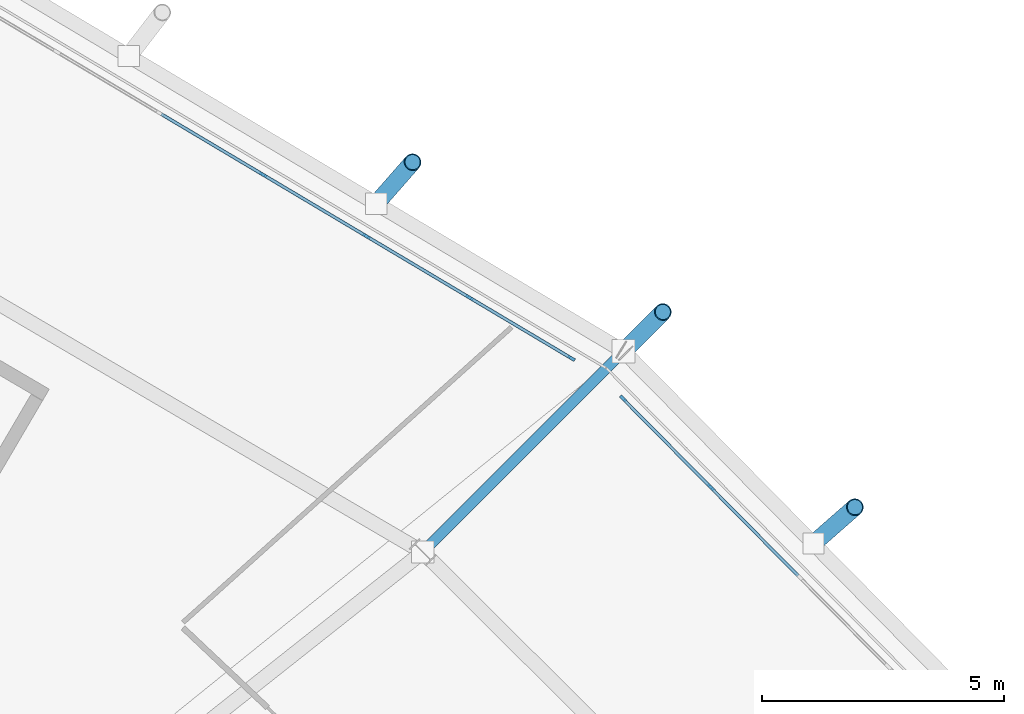
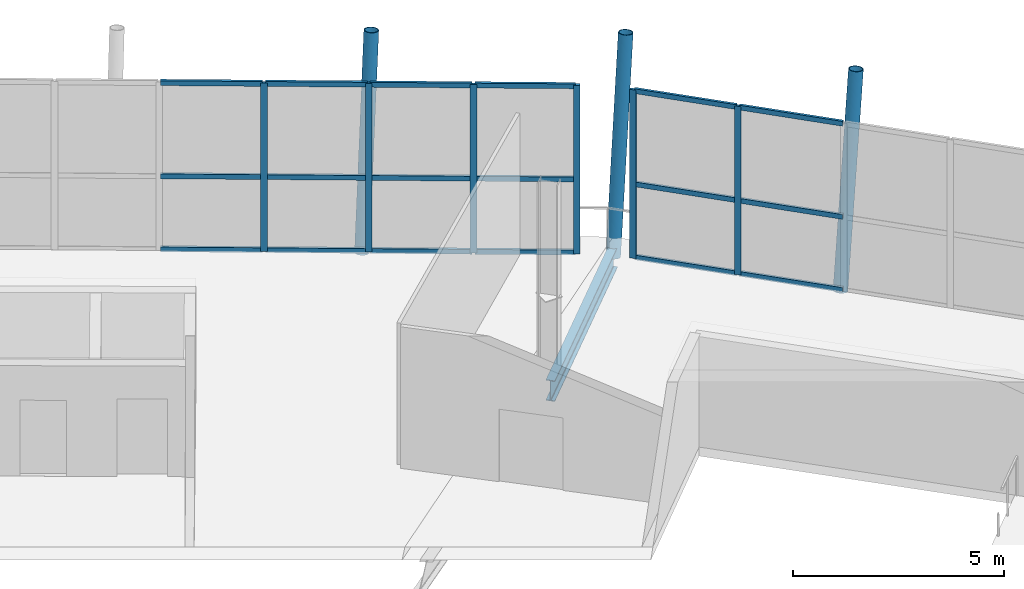
# One storey, part 53 of 99: 27 members, 1 beam, 2 elements without a shape of their own.
"""IFC4 building model written with IfcOpenShell, lengths in metres."""

from ifc_helpers import new_model, si_unit, direction, frame, origin, origin_2d, place, context, subcontext, project, spatial, rectangle, hollow_circle, i_section, extrude, material, material_profile, profile_set, type_object, element, aggregate, save


model = new_model("IFC4")

# Units and contexts
model_context = context("Model", 3, precision=1e-05, world=origin(), true_north=direction((0.0, 1.0)))
body_context = subcontext(model_context, "Body", "Model", "MODEL_VIEW")
ifc_project = project(units=[si_unit("LENGTHUNIT", "METRE"), si_unit("AREAUNIT", "SQUARE_METRE"), si_unit("VOLUMEUNIT", "CUBIC_METRE"), si_unit("PLANEANGLEUNIT", "RADIAN"), si_unit("MASSUNIT", "GRAM", prefix="KILO")], contexts=[model_context])

# Site, building, storey
site_placement = place(None, origin())
site = spatial("IfcSite", under=ifc_project, at=site_placement, CompositionType="ELEMENT")
building_placement = place(site_placement, origin())
building = spatial("IfcBuilding", under=site, at=building_placement, Name="Zlatoyarsky Gate Stadium", CompositionType="ELEMENT")
storey_placement = place(building_placement, frame((0.0, 0.0, 26.199951171875)))
storey = spatial("IfcBuildingStorey", under=building, at=storey_placement, Name="L05", CompositionType="ELEMENT", Elevation=26.199951171875)

# Curtain wall, members
ifc_material_1 = material(Name="Thermally broken anodised aluminium curtain wall", Category="aluminium")
curtain_wall_type = type_object("IfcCurtainWallType", Name="UNITISED SKYBOX RING GLAZING L05", PredefinedType="USERDEFINED", material=ifc_material_1)
curtain_wall_1_placement = place(storey_placement, origin())
curtain_wall_1 = element("IfcCurtainWall", 1, at=curtain_wall_1_placement, inside=storey, type_object=curtain_wall_type, Name="Curtain wall CW-L05-02", ObjectType="UNITISED GLAZING", PredefinedType="USERDEFINED")
ifc_material_2 = material(Name="Anodised aluminium 6063-T6", Category="aluminium")
ifc_material_profile_1 = material_profile(ifc_material_2, rectangle(XDim=0.06494140625, YDim=0.159912109375, at=origin_2d()), Name="ALU 65X160")
ifc_profile_set_1 = profile_set([ifc_material_profile_1], Name="Anodised aluminium 6063-T6")
member_type_1 = type_object("IfcMemberType", Name="ALUMINIUM MULLION 65X160", PredefinedType="MULLION", material=ifc_profile_set_1)
member_1_placement = place(storey_placement, frame((182.715576171875, 131.54736328125, 0.0), z_axis=(0.0, 0.0, 1.0), x_axis=(-0.711035710587, -0.70315589898, 0.0)))
member_1 = element("IfcMember", 2, at=member_1_placement, type_object=member_type_1, Name="CW-UG5 mullion 8", PredefinedType="MULLION", context=body_context, shape_type="SweptSolid", body=[
    extrude(rectangle(XDim=0.06494140625, YDim=0.159912109375, at=origin_2d()), origin(), (0.0, 0.0, 1.0), 4.880126953125),
])
member_2_placement = place(storey_placement, frame((180.90234375, 133.380859375, 0.0), z_axis=(0.0, 0.0, 1.0), x_axis=(-0.711035710587, -0.70315589898, 0.0)))
member_2 = element("IfcMember", 3, at=member_2_placement, type_object=member_type_1, Name="CW-UG5 mullion 9", PredefinedType="MULLION", context=body_context, shape_type="SweptSolid", body=[
    extrude(rectangle(XDim=0.06494140625, YDim=0.159912109375, at=origin_2d()), origin(), (0.0, 0.0, 1.0), 4.880126953125),
])

curtain_wall_2_placement = place(storey_placement, origin())
curtain_wall_2 = element("IfcCurtainWall", 4, at=curtain_wall_2_placement, inside=storey, type_object=curtain_wall_type, Name="Curtain wall CW-L05-03", ObjectType="UNITISED GLAZING", PredefinedType="USERDEFINED")
member_3_placement = place(storey_placement, frame((179.8359375, 134.21533203125, 0.0), z_axis=(0.0, 0.0, 1.0), x_axis=(-0.511577166542, -0.859237337802, 0.0)))
member_3 = element("IfcMember", 5, at=member_3_placement, type_object=member_type_1, Name="CW-UG5 mullion 1", PredefinedType="MULLION", context=body_context, shape_type="SweptSolid", body=[
    extrude(rectangle(XDim=0.06494140625, YDim=0.159912109375, at=origin_2d()), origin(), (0.0, 0.0, 1.0), 4.880126953125),
])
member_4_placement = place(storey_placement, frame((177.728759765625, 135.4697265625, 0.0), z_axis=(0.0, 0.0, 1.0), x_axis=(-0.511577166542, -0.859237337802, 0.0)))
member_4 = element("IfcMember", 6, at=member_4_placement, type_object=member_type_1, Name="CW-UG5 mullion 2", PredefinedType="MULLION", context=body_context, shape_type="SweptSolid", body=[
    extrude(rectangle(XDim=0.06494140625, YDim=0.159912109375, at=origin_2d()), origin(), (0.0, 0.0, 1.0), 4.880126953125),
])
member_5_placement = place(storey_placement, frame((175.593505859375, 136.740966796875, 0.0), z_axis=(0.0, 0.0, 1.0), x_axis=(-0.511577166542, -0.859237337802, 0.0)))
member_5 = element("IfcMember", 7, at=member_5_placement, type_object=member_type_1, Name="CW-UG5 mullion 3", PredefinedType="MULLION", context=body_context, shape_type="SweptSolid", body=[
    extrude(rectangle(XDim=0.06494140625, YDim=0.159912109375, at=origin_2d()), origin(), (0.0, 0.0, 1.0), 4.880126953125),
])
member_6_placement = place(storey_placement, frame((173.45849609375, 138.01220703125, 0.0), z_axis=(0.0, 0.0, 1.0), x_axis=(-0.511577166542, -0.859237337802, 0.0)))
member_6 = element("IfcMember", 8, at=member_6_placement, type_object=member_type_1, Name="CW-UG5 mullion 4", PredefinedType="MULLION", context=body_context, shape_type="SweptSolid", body=[
    extrude(rectangle(XDim=0.06494140625, YDim=0.159912109375, at=origin_2d()), origin(), (0.0, 0.0, 1.0), 4.880126953125),
])

# Member
ifc_material_profile_2 = material_profile(ifc_material_2, rectangle(XDim=0.06494140625, YDim=0.139892578125, at=origin_2d()), Name="ALU 65X140")
ifc_profile_set_2 = profile_set([ifc_material_profile_2], Name="Anodised aluminium 6063-T6")
member_type_2 = type_object("IfcMemberType", Name="ALUMINIUM TRANSOM 65X140", PredefinedType="USERDEFINED", material=ifc_profile_set_2)
member_7_placement = place(storey_placement, frame((184.528564453125, 129.7138671875, 0.032470703125), z_axis=(-0.7031643449, 0.711027358166, 0.0), x_axis=(-0.711027358166, -0.7031643449, 0.0)))
member_7 = element("IfcMember", 9, at=member_7_placement, type_object=member_type_2, Name="CW-UG5 transom 7.1", ObjectType="TRANSOM", PredefinedType="USERDEFINED", context=body_context, shape_type="SweptSolid", body=[
    extrude(rectangle(XDim=0.06494140625, YDim=0.139892578125, at=origin_2d()), origin(), (0.0, 0.0, 1.0), 2.546142578125),
])

member_8_placement = place(storey_placement, frame((184.528564453125, 129.7138671875, 2.150146484375), z_axis=(-0.7031643449, 0.711027358166, 0.0), x_axis=(-0.711027358166, -0.7031643449, 0.0)))
member_8 = element("IfcMember", 10, at=member_8_placement, type_object=member_type_2, Name="CW-UG5 transom 7.2", ObjectType="TRANSOM", PredefinedType="USERDEFINED", context=body_context, shape_type="SweptSolid", body=[
    extrude(rectangle(XDim=0.06494140625, YDim=0.139892578125, at=origin_2d()), origin(), (0.0, 0.0, 1.0), 2.546142578125),
])

member_9_placement = place(storey_placement, frame((184.528564453125, 129.7138671875, 4.84765625), z_axis=(-0.7031643449, 0.711027358166, 0.0), x_axis=(-0.711027358166, -0.7031643449, 0.0)))
member_9 = element("IfcMember", 11, at=member_9_placement, type_object=member_type_2, Name="CW-UG5 transom 7.3", ObjectType="TRANSOM", PredefinedType="USERDEFINED", context=body_context, shape_type="SweptSolid", body=[
    extrude(rectangle(XDim=0.06494140625, YDim=0.139892578125, at=origin_2d()), origin(), (0.0, 0.0, 1.0), 2.546142578125),
])

member_10_placement = place(storey_placement, frame((182.692626953125, 131.5703125, 0.032470703125), z_axis=(-0.703113298476, 0.711077836461, 0.0), x_axis=(-0.711077836461, -0.703113298476, 0.0)))
member_10 = element("IfcMember", 12, at=member_10_placement, type_object=member_type_2, Name="CW-UG5 transom 8.1", ObjectType="TRANSOM", PredefinedType="USERDEFINED", context=body_context, shape_type="SweptSolid", body=[
    extrude(rectangle(XDim=0.06494140625, YDim=0.139892578125, at=origin_2d()), origin(), (0.0, 0.0, 1.0), 2.513671875),
])

member_11_placement = place(storey_placement, frame((182.692626953125, 131.5703125, 2.150146484375), z_axis=(-0.703113298476, 0.711077836461, 0.0), x_axis=(-0.711077836461, -0.703113298476, 0.0)))
member_11 = element("IfcMember", 13, at=member_11_placement, type_object=member_type_2, Name="CW-UG5 transom 8.2", ObjectType="TRANSOM", PredefinedType="USERDEFINED", context=body_context, shape_type="SweptSolid", body=[
    extrude(rectangle(XDim=0.06494140625, YDim=0.139892578125, at=origin_2d()), origin(), (0.0, 0.0, 1.0), 2.513671875),
])

member_12_placement = place(storey_placement, frame((182.692626953125, 131.5703125, 4.84765625), z_axis=(-0.703113298476, 0.711077836461, 0.0), x_axis=(-0.711077836461, -0.703113298476, 0.0)))
member_12 = element("IfcMember", 14, at=member_12_placement, type_object=member_type_2, Name="CW-UG5 transom 8.3", ObjectType="TRANSOM", PredefinedType="USERDEFINED", context=body_context, shape_type="SweptSolid", body=[
    extrude(rectangle(XDim=0.06494140625, YDim=0.139892578125, at=origin_2d()), origin(), (0.0, 0.0, 1.0), 2.513671875),
])

aggregate(curtain_wall_1, [member_1, member_2, member_7, member_8, member_9, member_10, member_11, member_12])

member_13_placement = place(storey_placement, frame((179.80810546875, 134.23193359375, 0.032470703125), z_axis=(-0.859283253325, 0.511500039644, 0.0), x_axis=(-0.511500039644, -0.859283253325, 0.0)))
member_13 = element("IfcMember", 15, at=member_13_placement, type_object=member_type_2, Name="CW-UG5 transom 1.1", ObjectType="TRANSOM", PredefinedType="USERDEFINED", context=body_context, shape_type="SweptSolid", body=[
    extrude(rectangle(XDim=0.06494140625, YDim=0.139892578125, at=origin_2d()), origin(), (0.0, 0.0, 1.0), 2.387451171875),
])

member_14_placement = place(storey_placement, frame((179.80810546875, 134.23193359375, 2.150146484375), z_axis=(-0.859283253325, 0.511500039644, 0.0), x_axis=(-0.511500039644, -0.859283253325, 0.0)))
member_14 = element("IfcMember", 16, at=member_14_placement, type_object=member_type_2, Name="CW-UG5 transom 1.2", ObjectType="TRANSOM", PredefinedType="USERDEFINED", context=body_context, shape_type="SweptSolid", body=[
    extrude(rectangle(XDim=0.06494140625, YDim=0.139892578125, at=origin_2d()), origin(), (0.0, 0.0, 1.0), 2.387451171875),
])

member_15_placement = place(storey_placement, frame((179.80810546875, 134.23193359375, 4.84765625), z_axis=(-0.859283253325, 0.511500039644, 0.0), x_axis=(-0.511500039644, -0.859283253325, 0.0)))
member_15 = element("IfcMember", 17, at=member_15_placement, type_object=member_type_2, Name="CW-UG5 transom 1.3", ObjectType="TRANSOM", PredefinedType="USERDEFINED", context=body_context, shape_type="SweptSolid", body=[
    extrude(rectangle(XDim=0.06494140625, YDim=0.139892578125, at=origin_2d()), origin(), (0.0, 0.0, 1.0), 2.387451171875),
])

member_16_placement = place(storey_placement, frame((177.700927734375, 135.486572265625, 0.032470703125), z_axis=(-0.859277047408, 0.511510464994, 0.0), x_axis=(-0.511510464994, -0.859277047408, 0.0)))
member_16 = element("IfcMember", 18, at=member_16_placement, type_object=member_type_2, Name="CW-UG5 transom 2.1", ObjectType="TRANSOM", PredefinedType="USERDEFINED", context=body_context, shape_type="SweptSolid", body=[
    extrude(rectangle(XDim=0.06494140625, YDim=0.139892578125, at=origin_2d()), origin(), (0.0, 0.0, 1.0), 2.419921875),
])

member_17_placement = place(storey_placement, frame((177.700927734375, 135.486572265625, 2.150146484375), z_axis=(-0.859277047408, 0.511510464994, 0.0), x_axis=(-0.511510464994, -0.859277047408, 0.0)))
member_17 = element("IfcMember", 19, at=member_17_placement, type_object=member_type_2, Name="CW-UG5 transom 2.2", ObjectType="TRANSOM", PredefinedType="USERDEFINED", context=body_context, shape_type="SweptSolid", body=[
    extrude(rectangle(XDim=0.06494140625, YDim=0.139892578125, at=origin_2d()), origin(), (0.0, 0.0, 1.0), 2.419921875),
])

member_18_placement = place(storey_placement, frame((177.700927734375, 135.486572265625, 4.84765625), z_axis=(-0.859277047408, 0.511510464994, 0.0), x_axis=(-0.511510464994, -0.859277047408, 0.0)))
member_18 = element("IfcMember", 20, at=member_18_placement, type_object=member_type_2, Name="CW-UG5 transom 2.3", ObjectType="TRANSOM", PredefinedType="USERDEFINED", context=body_context, shape_type="SweptSolid", body=[
    extrude(rectangle(XDim=0.06494140625, YDim=0.139892578125, at=origin_2d()), origin(), (0.0, 0.0, 1.0), 2.419921875),
])

member_19_placement = place(storey_placement, frame((175.565673828125, 136.7578125, 0.032470703125), z_axis=(-0.859277047408, 0.511510464994, 0.0), x_axis=(-0.511510464994, -0.859277047408, 0.0)))
member_19 = element("IfcMember", 21, at=member_19_placement, type_object=member_type_2, Name="CW-UG5 transom 3.1", ObjectType="TRANSOM", PredefinedType="USERDEFINED", context=body_context, shape_type="SweptSolid", body=[
    extrude(rectangle(XDim=0.06494140625, YDim=0.139892578125, at=origin_2d()), origin(), (0.0, 0.0, 1.0), 2.419921875),
])

member_20_placement = place(storey_placement, frame((175.565673828125, 136.7578125, 2.150146484375), z_axis=(-0.859277047408, 0.511510464994, 0.0), x_axis=(-0.511510464994, -0.859277047408, 0.0)))
member_20 = element("IfcMember", 22, at=member_20_placement, type_object=member_type_2, Name="CW-UG5 transom 3.2", ObjectType="TRANSOM", PredefinedType="USERDEFINED", context=body_context, shape_type="SweptSolid", body=[
    extrude(rectangle(XDim=0.06494140625, YDim=0.139892578125, at=origin_2d()), origin(), (0.0, 0.0, 1.0), 2.419921875),
])

member_21_placement = place(storey_placement, frame((175.565673828125, 136.7578125, 4.84765625), z_axis=(-0.859277047408, 0.511510464994, 0.0), x_axis=(-0.511510464994, -0.859277047408, 0.0)))
member_21 = element("IfcMember", 23, at=member_21_placement, type_object=member_type_2, Name="CW-UG5 transom 3.3", ObjectType="TRANSOM", PredefinedType="USERDEFINED", context=body_context, shape_type="SweptSolid", body=[
    extrude(rectangle(XDim=0.06494140625, YDim=0.139892578125, at=origin_2d()), origin(), (0.0, 0.0, 1.0), 2.419921875),
])

member_22_placement = place(storey_placement, frame((173.430419921875, 138.02880859375, 0.032470703125), z_axis=(-0.859206295703, 0.511629300788, 0.0), x_axis=(-0.511629300788, -0.859206295703, 0.0)))
member_22 = element("IfcMember", 24, at=member_22_placement, type_object=member_type_2, Name="CW-UG5 transom 4.1", ObjectType="TRANSOM", PredefinedType="USERDEFINED", context=body_context, shape_type="SweptSolid", body=[
    extrude(rectangle(XDim=0.06494140625, YDim=0.139892578125, at=origin_2d()), origin(), (0.0, 0.0, 1.0), 2.419677734375),
])

member_23_placement = place(storey_placement, frame((173.430419921875, 138.02880859375, 2.150146484375), z_axis=(-0.859206295703, 0.511629300788, 0.0), x_axis=(-0.511629300788, -0.859206295703, 0.0)))
member_23 = element("IfcMember", 25, at=member_23_placement, type_object=member_type_2, Name="CW-UG5 transom 4.2", ObjectType="TRANSOM", PredefinedType="USERDEFINED", context=body_context, shape_type="SweptSolid", body=[
    extrude(rectangle(XDim=0.06494140625, YDim=0.139892578125, at=origin_2d()), origin(), (0.0, 0.0, 1.0), 2.419677734375),
])

member_24_placement = place(storey_placement, frame((173.430419921875, 138.02880859375, 4.84765625), z_axis=(-0.859206295703, 0.511629300788, 0.0), x_axis=(-0.511629300788, -0.859206295703, 0.0)))
member_24 = element("IfcMember", 26, at=member_24_placement, type_object=member_type_2, Name="CW-UG5 transom 4.3", ObjectType="TRANSOM", PredefinedType="USERDEFINED", context=body_context, shape_type="SweptSolid", body=[
    extrude(rectangle(XDim=0.06494140625, YDim=0.139892578125, at=origin_2d()), origin(), (0.0, 0.0, 1.0), 2.419677734375),
])

aggregate(curtain_wall_2, [member_3, member_4, member_5, member_6, member_13, member_14, member_15, member_16, member_17, member_18, member_19, member_20, member_21, member_22, member_23, member_24])

# Beam
ifc_material_3 = material(Name="Steel S355", Category="steel")
ifc_material_profile_3 = material_profile(ifc_material_3, i_section(OverallWidth=0.219970703125, OverallDepth=0.60009765625, WebThickness=0.011962890625, FlangeThickness=0.01904296875, FilletRadius=0.02392578125, at=origin_2d()), Name="IPE 600")
ifc_profile_set_3 = profile_set([ifc_material_profile_3], Name="Steel S355")
beam_type = type_object("IfcBeamType", Name="STEEL CANTILEVER FLOOR BEAM IPE 600", PredefinedType="BEAM", material=ifc_profile_set_3)
beam_placement = place(storey_placement, frame((176.845703125, 130.28955078125, -0.56005859375), z_axis=(0.707127980293, 0.707085581445, 0.0), x_axis=(-0.707085581445, 0.707127980293, 0.0)))
element("IfcBeam", 27, at=beam_placement, inside=storey, type_object=beam_type, Name="Beam B-IPE600 BM-L05-OUT-03", PredefinedType="BEAM", context=body_context, shape_type="SweptSolid", body=[
    extrude(i_section(OverallWidth=0.219970703125, OverallDepth=0.60009765625, WebThickness=0.011962890625, FlangeThickness=0.01904296875, FilletRadius=0.02392578125, at=origin_2d()), origin(), (0.0, 0.0, 1.0), 5.75830078125),
])

# Members
ifc_material_profile_4 = material_profile(ifc_material_3, hollow_circle(Radius=0.177734375, WallThickness=0.02001953125, at=origin_2d()), Name="CHS 355.6X20")
ifc_profile_set_4 = profile_set([ifc_material_profile_4], Name="Steel S355")
member_type_3 = type_object("IfcMemberType", Name="STEEL LEANING RIB RING STRUT CHS 355.6X20", PredefinedType="STRUT", material=ifc_profile_set_4)
member_25_placement = place(storey_placement, frame((184.845703125, 130.380615234375, -0.510009765625), z_axis=(0.14870213522, 0.130436760635, 0.98024176939), x_axis=(-0.659427221698, 0.751768408011, 0.0)))
element("IfcMember", 28, at=member_25_placement, inside=storey, type_object=member_type_3, Name="Outward-leaning bowl louvre fin rib L05 02-3", PredefinedType="STRUT", context=body_context, shape_type="SweptSolid", body=[
    extrude(hollow_circle(Radius=0.177734375, WallThickness=0.02001953125, at=origin_2d()), origin(), (0.0, 0.0, 1.0), 5.774169921875),
])
member_26_placement = place(storey_placement, frame((180.91748046875, 134.361083984375, -0.56005859375), z_axis=(0.139533217798, 0.139533217798, 0.980337167643), x_axis=(-0.707106781187, 0.707106781187, 0.0)))
element("IfcMember", 29, at=member_26_placement, inside=storey, type_object=member_type_3, Name="Upper leaning rib ring strut 03", PredefinedType="STRUT", context=body_context, shape_type="SweptSolid", body=[
    extrude(hollow_circle(Radius=0.177734375, WallThickness=0.02001953125, at=origin_2d()), origin(), (0.0, 0.0, 1.0), 5.82470703125),
])
member_27_placement = place(storey_placement, frame((175.7978515625, 137.415283203125, -0.510009765625), z_axis=(0.130436760635, 0.14870213522, 0.98024176939), x_axis=(-0.751768408011, 0.659427221698, 0.0)))
element("IfcMember", 30, at=member_27_placement, inside=storey, type_object=member_type_3, Name="Outward-leaning bowl louvre fin rib L05 03-1", PredefinedType="STRUT", context=body_context, shape_type="SweptSolid", body=[
    extrude(hollow_circle(Radius=0.177734375, WallThickness=0.02001953125, at=origin_2d()), origin(), (0.0, 0.0, 1.0), 5.774169921875),
])

save(model, "model.ifc")
